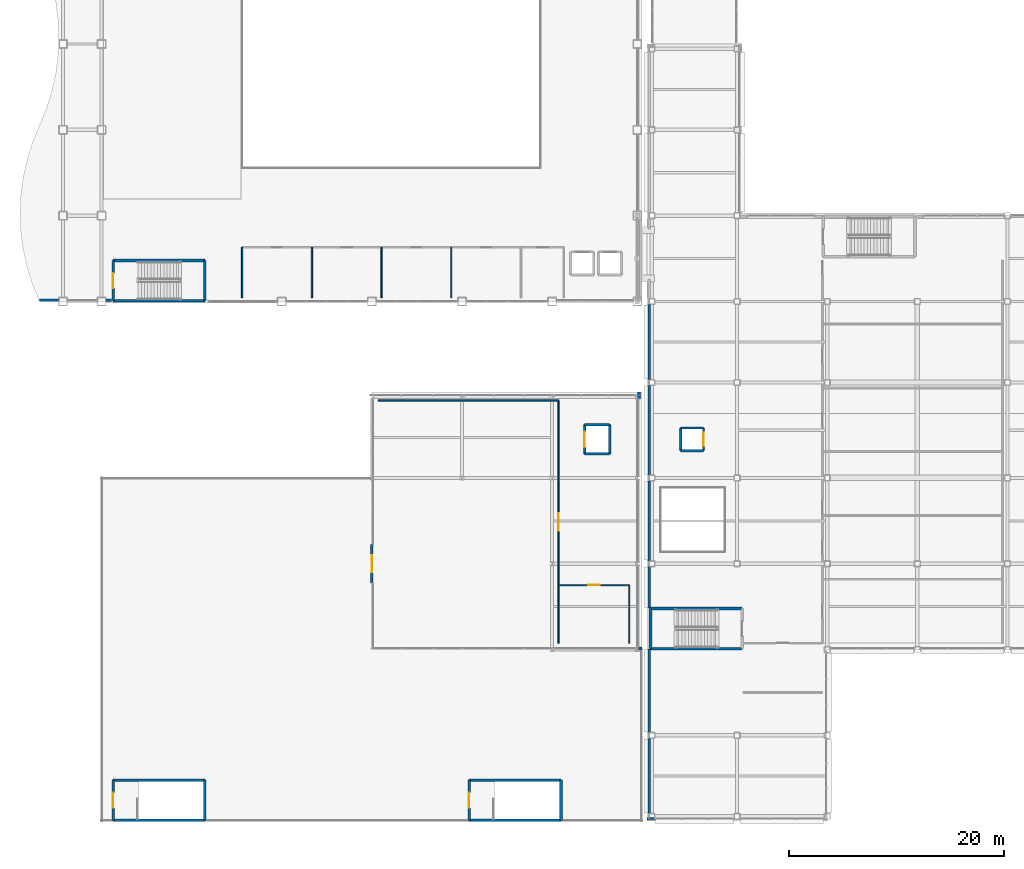
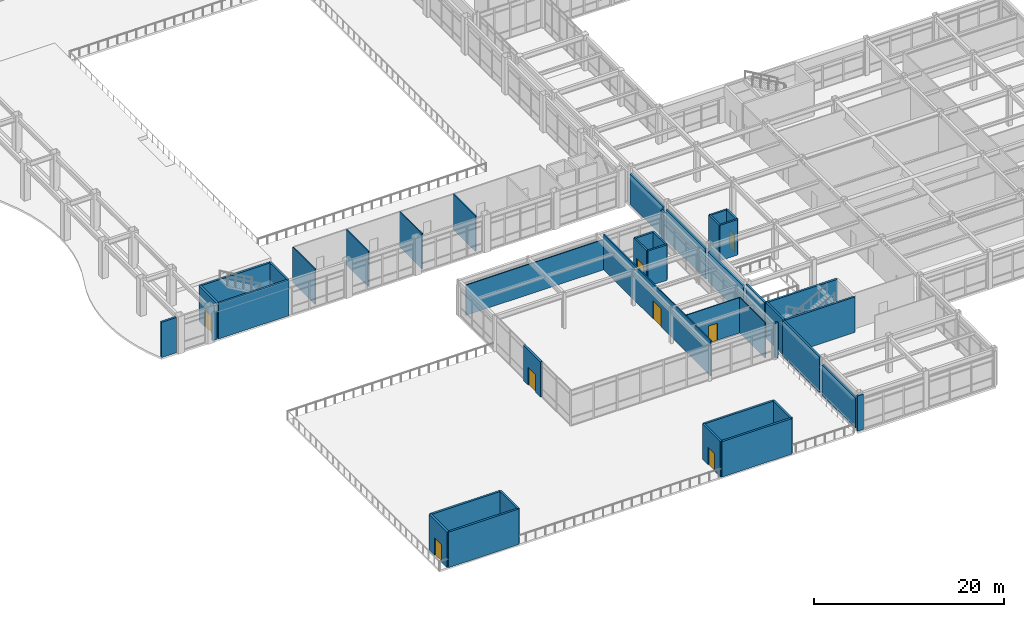
# One storey, part 131 of 154: 43 walls, 8 doors, 8 openings.
"""IFC4 building model written with IfcOpenShell, lengths in metres."""

from ifc_helpers import new_model, si_unit, direction, frame, frame_2d, origin, place, context, subcontext, project, spatial, rectangle, extrude, material, layer, layer_set, type_object, element, fill, save


model = new_model("IFC4")

# Units and contexts
model_context = context("Model", 3, precision=1e-05, world=origin(), true_north=direction((0.0, 1.0)))
body_context = subcontext(model_context, "Body", "Model", "MODEL_VIEW")
ifc_project = project(units=[si_unit("LENGTHUNIT", "METRE"), si_unit("AREAUNIT", "SQUARE_METRE"), si_unit("VOLUMEUNIT", "CUBIC_METRE"), si_unit("PLANEANGLEUNIT", "RADIAN"), si_unit("MASSUNIT", "GRAM", prefix="KILO")], contexts=[model_context])

# Site, building, storey
site_placement = place(None, origin())
site = spatial("IfcSite", under=ifc_project, at=site_placement, CompositionType="ELEMENT")
building_placement = place(site_placement, origin())
building = spatial("IfcBuilding", under=site, at=building_placement, Name="Kazehara Bluff Congress Hotel", CompositionType="ELEMENT")
storey_placement = place(building_placement, frame((0.0, 0.0, 10.199951171875)))
storey = spatial("IfcBuildingStorey", under=building, at=storey_placement, Name="L02", CompositionType="ELEMENT", Elevation=10.199951171875)

# Wall, opening, door
ifc_material_1 = material(Name="Concrete C40/50", Category="concrete")
ifc_layer_1 = layer(ifc_material_1, 0.25)
ifc_layer_set_1 = layer_set([ifc_layer_1], Name="Concrete C40/50")
wall_type_1 = type_object("IfcWallType", Name="TP-CW-RC", PredefinedType="SHEAR", material=ifc_layer_set_1)
wall_1_placement = place(storey_placement, frame((9.47509765625, 48.52490234375, 0.0), z_axis=(0.0, 0.0, 1.0), x_axis=(0.0, 1.0, 0.0)))
wall_1 = element("IfcWall", 1, at=wall_1_placement, inside=storey, type_object=wall_type_1, Name="L02 ST-03 core wall near", PredefinedType="SHEAR", context=body_context, shape_type="SweptSolid", body=[
    extrude(rectangle(XDim=3.75, YDim=0.25, at=frame_2d((1.875, 0.0))), origin(), (0.0, 0.0, 1.0), 4.56005859375),
])
opening_1_placement = place(wall_1_placement, frame((1.175048828125, 0.0, 0.0)))
opening_1 = element("IfcOpeningElement", 2, at=opening_1_placement, cuts=wall_1, Name="Opening FD-03", PredefinedType="OPENING", context=body_context, shape_type="SweptSolid", body=[
    extrude(rectangle(XDim=1.39990234375, YDim=2.25, at=frame_2d((0.699951171875, 1.125))), frame((0.0, 0.135009765625, 0.0), z_axis=(0.0, -1.0, 0.0), x_axis=(1.0, 0.0, 0.0)), (0.0, 0.0, 1.0), 0.27001953125),
])
ifc_material_2 = material(Name="Fire-rated painted steel leaf", Category="steel")
door_type_1 = type_object("IfcDoorType", Name="TP-FD-03", OperationType="NOTDEFINED", PredefinedType="DOOR", material=ifc_material_2)
door_1_placement = place(opening_1_placement, origin())
door_1 = element("IfcDoor", 3, at=door_1_placement, inside=storey, type_object=door_type_1, Name="L02 ST-03 fire stair door", OperationType="SINGLE_SWING_LEFT", OverallHeight=2.25, OverallWidth=1.39990234375, PredefinedType="DOOR", context=body_context, shape_type="SweptSolid", body=[
    extrude(rectangle(XDim=1.39990234375, YDim=2.25, at=frame_2d((0.699951171875, 1.125))), frame((0.0, 0.02490234375, 0.0), z_axis=(0.0, -1.0, 0.0), x_axis=(1.0, 0.0, 0.0)), (0.0, 0.0, 1.0), 0.050048828125),
])
fill(opening_1, door_1)

# Walls
wall_2_placement = place(storey_placement, frame((18.02490234375, 52.27490234375, 0.0), z_axis=(0.0, 0.0, 1.0), x_axis=(0.0, -1.0, 0.0)))
element("IfcWall", 4, at=wall_2_placement, inside=storey, type_object=wall_type_1, Name="L02 ST-03 core wall far", PredefinedType="SHEAR", context=body_context, shape_type="SweptSolid", body=[
    extrude(rectangle(XDim=3.75, YDim=0.25, at=frame_2d((1.875, 0.0))), origin(), (0.0, 0.0, 1.0), 4.56005859375),
])
for number, where, z_axis, x_axis, name in (
    (5, (18.02490234375, 48.52490234375, 0.0), (0.0, 0.0, 1.0), (-1.0, 0.0, 0.0), "L02 ST-03 core wall left"),
    (6, (9.47509765625, 52.27490234375, 0.0), (0.0, 0.0, 1.0), (1.0, 0.0, 0.0), "L02 ST-03 core wall right"),
):
    element("IfcWall", number, at=place(storey_placement, frame(where, z_axis=z_axis, x_axis=x_axis)), inside=storey, type_object=wall_type_1, Name=name, PredefinedType="SHEAR", context=body_context, shape_type="SweptSolid", body=[
        extrude(rectangle(XDim=8.5498046875, YDim=0.25, at=frame_2d((4.27490234375, 0.0))), origin(), (0.0, 0.0, 1.0), 4.56005859375),
    ])

# Wall, opening, door
wall_3_placement = place(storey_placement, frame((9.47509765625, 0.074951171875, 0.0), z_axis=(0.0, 0.0, 1.0), x_axis=(0.0, 1.0, 0.0)))
wall_3 = element("IfcWall", 7, at=wall_3_placement, inside=storey, type_object=wall_type_1, Name="L02 ST-04 core wall near", PredefinedType="SHEAR", context=body_context, shape_type="SweptSolid", body=[
    extrude(rectangle(XDim=3.75, YDim=0.25, at=frame_2d((1.875, 0.0))), origin(), (0.0, 0.0, 1.0), 4.56005859375),
])
opening_2_placement = place(wall_3_placement, frame((1.175048828125, 0.0, 0.0)))
opening_2 = element("IfcOpeningElement", 8, at=opening_2_placement, cuts=wall_3, Name="Opening FD-03", PredefinedType="OPENING", context=body_context, shape_type="SweptSolid", body=[
    extrude(rectangle(XDim=1.39990234375, YDim=2.25, at=frame_2d((0.699951171875, 1.125))), frame((0.0, 0.135009765625, 0.0), z_axis=(0.0, -1.0, 0.0), x_axis=(1.0, 0.0, 0.0)), (0.0, 0.0, 1.0), 0.27001953125),
])
door_2_placement = place(opening_2_placement, origin())
door_2 = element("IfcDoor", 9, at=door_2_placement, inside=storey, type_object=door_type_1, Name="L02 ST-04 fire stair door", OperationType="SINGLE_SWING_RIGHT", OverallHeight=2.25, OverallWidth=1.39990234375, PredefinedType="DOOR", context=body_context, shape_type="SweptSolid", body=[
    extrude(rectangle(XDim=1.39990234375, YDim=2.25, at=frame_2d((0.699951171875, 1.125))), frame((0.0, 0.02490234375, 0.0), z_axis=(0.0, -1.0, 0.0), x_axis=(1.0, 0.0, 0.0)), (0.0, 0.0, 1.0), 0.050048828125),
])
fill(opening_2, door_2)

# Walls
wall_4_placement = place(storey_placement, frame((18.02490234375, 3.824951171875, 0.0), z_axis=(0.0, 0.0, 1.0), x_axis=(0.0, -1.0, 0.0)))
element("IfcWall", 10, at=wall_4_placement, inside=storey, type_object=wall_type_1, Name="L02 ST-04 core wall far", PredefinedType="SHEAR", context=body_context, shape_type="SweptSolid", body=[
    extrude(rectangle(XDim=3.75, YDim=0.25, at=frame_2d((1.875, 0.0))), origin(), (0.0, 0.0, 1.0), 4.56005859375),
])
for number, where, z_axis, x_axis, name in (
    (11, (18.02490234375, 0.074951171875, 0.0), (0.0, 0.0, 1.0), (-1.0, 0.0, 0.0), "L02 ST-04 core wall left"),
    (12, (9.47509765625, 3.824951171875, 0.0), (0.0, 0.0, 1.0), (1.0, 0.0, 0.0), "L02 ST-04 core wall right"),
):
    element("IfcWall", number, at=place(storey_placement, frame(where, z_axis=z_axis, x_axis=x_axis)), inside=storey, type_object=wall_type_1, Name=name, PredefinedType="SHEAR", context=body_context, shape_type="SweptSolid", body=[
        extrude(rectangle(XDim=8.5498046875, YDim=0.25, at=frame_2d((4.27490234375, 0.0))), origin(), (0.0, 0.0, 1.0), 4.56005859375),
    ])

# Wall, opening, door
wall_5_placement = place(storey_placement, frame((42.675048828125, 0.074951171875, 0.0), z_axis=(0.0, 0.0, 1.0), x_axis=(0.0, 1.0, 0.0)))
wall_5 = element("IfcWall", 13, at=wall_5_placement, inside=storey, type_object=wall_type_1, Name="L02 ST-05 core wall near", PredefinedType="SHEAR", context=body_context, shape_type="SweptSolid", body=[
    extrude(rectangle(XDim=3.75, YDim=0.25, at=frame_2d((1.875, 0.0))), origin(), (0.0, 0.0, 1.0), 4.56005859375),
])
opening_3_placement = place(wall_5_placement, frame((1.175048828125, 0.0, 0.0)))
opening_3 = element("IfcOpeningElement", 14, at=opening_3_placement, cuts=wall_5, Name="Opening FD-03", PredefinedType="OPENING", context=body_context, shape_type="SweptSolid", body=[
    extrude(rectangle(XDim=1.39990234375, YDim=2.25, at=frame_2d((0.699951171875, 1.125))), frame((0.0, 0.135009765625, 0.0), z_axis=(0.0, -1.0, 0.0), x_axis=(1.0, 0.0, 0.0)), (0.0, 0.0, 1.0), 0.27001953125),
])
door_3_placement = place(opening_3_placement, origin())
door_3 = element("IfcDoor", 15, at=door_3_placement, inside=storey, type_object=door_type_1, Name="L02 ST-05 fire stair door", OperationType="SINGLE_SWING_RIGHT", OverallHeight=2.25, OverallWidth=1.39990234375, PredefinedType="DOOR", context=body_context, shape_type="SweptSolid", body=[
    extrude(rectangle(XDim=1.39990234375, YDim=2.25, at=frame_2d((0.699951171875, 1.125))), frame((0.0, 0.02490234375, 0.0), z_axis=(0.0, -1.0, 0.0), x_axis=(1.0, 0.0, 0.0)), (0.0, 0.0, 1.0), 0.050048828125),
])
fill(opening_3, door_3)

# Walls
wall_6_placement = place(storey_placement, frame((51.22509765625, 3.824951171875, 0.0), z_axis=(0.0, 0.0, 1.0), x_axis=(0.0, -1.0, 0.0)))
element("IfcWall", 16, at=wall_6_placement, inside=storey, type_object=wall_type_1, Name="L02 ST-05 core wall far", PredefinedType="SHEAR", context=body_context, shape_type="SweptSolid", body=[
    extrude(rectangle(XDim=3.75, YDim=0.25, at=frame_2d((1.875, 0.0))), origin(), (0.0, 0.0, 1.0), 4.56005859375),
])
for number, where, z_axis, x_axis, name in (
    (17, (51.22509765625, 0.074951171875, 0.0), (0.0, 0.0, 1.0), (-1.0, 0.0, 0.0), "L02 ST-05 core wall left"),
    (18, (42.675048828125, 3.824951171875, 0.0), (0.0, 0.0, 1.0), (1.0, 0.0, 0.0), "L02 ST-05 core wall right"),
):
    element("IfcWall", number, at=place(storey_placement, frame(where, z_axis=z_axis, x_axis=x_axis)), inside=storey, type_object=wall_type_1, Name=name, PredefinedType="SHEAR", context=body_context, shape_type="SweptSolid", body=[
        extrude(rectangle(XDim=8.550048828125, YDim=0.25, at=frame_2d((4.27490234375, 0.0))), origin(), (0.0, 0.0, 1.0), 4.56005859375),
    ])
wall_7_placement = place(storey_placement, frame((59.574951171875, 16.074951171875, 0.0), z_axis=(0.0, 0.0, 1.0), x_axis=(0.0, 1.0, 0.0)))
element("IfcWall", 19, at=wall_7_placement, inside=storey, type_object=wall_type_1, Name="L02 ST-08 core wall far", PredefinedType="SHEAR", context=body_context, shape_type="SweptSolid", body=[
    extrude(rectangle(XDim=3.75, YDim=0.25, at=frame_2d((1.875, 0.0))), origin(), (0.0, 0.0, 1.0), 4.56005859375),
])
for number, where, z_axis, x_axis, name in (
    (20, (59.574951171875, 19.824951171875, 0.0), (0.0, 0.0, 1.0), (1.0, 0.0, 0.0), "L02 ST-08 core wall left"),
    (21, (68.125, 16.074951171875, 0.0), (0.0, 0.0, 1.0), (-1.0, 0.0, 0.0), "L02 ST-08 core wall right"),
):
    element("IfcWall", number, at=place(storey_placement, frame(where, z_axis=z_axis, x_axis=x_axis)), inside=storey, type_object=wall_type_1, Name=name, PredefinedType="SHEAR", context=body_context, shape_type="SweptSolid", body=[
        extrude(rectangle(XDim=8.550048828125, YDim=0.25, at=frame_2d((4.27490234375, 0.0))), origin(), (0.0, 0.0, 1.0), 4.56005859375),
    ])

# Wall, opening, door
ifc_material_3 = material(Name="Precast concrete C40/50", Category="concrete")
ifc_layer_2 = layer(ifc_material_3, 0.239990234375)
ifc_layer_set_2 = layer_set([ifc_layer_2], Name="Precast concrete C40/50")
wall_type_2 = type_object("IfcWallType", Name="TP-EW-240", PredefinedType="SOLIDWALL", material=ifc_layer_set_2)
wall_8_placement = place(storey_placement, frame((33.60009765625, 22.199951171875, 0.0), z_axis=(0.0, 0.0, 1.0), x_axis=(0.0, 1.0, 0.0)))
wall_8 = element("IfcWall", 22, at=wall_8_placement, inside=storey, type_object=wall_type_2, Name="Ballroom Planted Roof Garden access wall", PredefinedType="SOLIDWALL", context=body_context, shape_type="SweptSolid", body=[
    extrude(rectangle(XDim=3.60009765625, YDim=0.239990234375, at=frame_2d((1.800048828125, 0.0))), origin(), (0.0, 0.0, 1.0), 4.545166015625),
])
opening_4_placement = place(wall_8_placement, frame((1.0, 0.0, 0.0)))
opening_4 = element("IfcOpeningElement", 23, at=opening_4_placement, cuts=wall_8, Name="Opening TD-01", PredefinedType="OPENING", context=body_context, shape_type="SweptSolid", body=[
    extrude(rectangle(XDim=1.60009765625, YDim=2.300048828125, at=frame_2d((0.800048828125, 1.14990234375))), frame((0.0, 0.1298828125, 0.0), z_axis=(0.0, -1.0, 0.0), x_axis=(1.0, 0.0, 0.0)), (0.0, 0.0, 1.0), 0.260009765625),
])
ifc_material_4 = material(Name="Anodised aluminium", Category="aluminium")
door_type_2 = type_object("IfcDoorType", Name="TP-TD-01", OperationType="SLIDING_TO_LEFT", PredefinedType="DOOR", material=ifc_material_4)
door_4_placement = place(opening_4_placement, origin())
door_4 = element("IfcDoor", 24, at=door_4_placement, inside=storey, type_object=door_type_2, Name="Ballroom Planted Roof Garden terrace door", OperationType="SLIDING_TO_LEFT", OverallHeight=2.300048828125, OverallWidth=1.60009765625, PredefinedType="DOOR", context=body_context, shape_type="SweptSolid", body=[
    extrude(rectangle(XDim=1.60009765625, YDim=2.300048828125, at=frame_2d((0.800048828125, 1.14990234375))), frame((0.0, 0.02490234375, 0.0), z_axis=(0.0, -1.0, 0.0), x_axis=(1.0, 0.0, 0.0)), (0.0, 0.0, 1.0), 0.050048828125),
])
fill(opening_4, door_4)

# Walls
wall_9_placement = place(storey_placement, frame((4.39990234375, 48.550048828125, 0.0), z_axis=(0.0, 0.0, 1.0), x_axis=(-1.0, 0.0, 0.0)))
element("IfcWall", 25, at=wall_9_placement, inside=storey, type_object=wall_type_2, Name="L02 V1 perimeter spandrel pier 626", PredefinedType="SOLIDWALL", context=body_context, shape_type="SweptSolid", body=[
    extrude(rectangle(XDim=1.7998046875, YDim=0.239990234375, at=frame_2d((0.89990234375, 0.0))), origin(), (0.0, 0.0, 1.0), 4.545166015625),
])
wall_10_placement = place(storey_placement, frame((9.340087890625, 48.550048828125, 0.0), z_axis=(0.0, 0.0, 1.0), x_axis=(-1.0, 0.0, 0.0)))
element("IfcWall", 26, at=wall_10_placement, inside=storey, type_object=wall_type_2, Name="L02 V1 perimeter spandrel pier 627", PredefinedType="SOLIDWALL", context=body_context, shape_type="SweptSolid", body=[
    extrude(rectangle(XDim=0.5400390625, YDim=0.239990234375, at=frame_2d((0.27001953125, 0.0))), origin(), (0.0, 0.0, 1.0), 3.53515625),
])
wall_11_placement = place(storey_placement, frame((58.800048828125, 16.10009765625, 0.0), z_axis=(0.0, 0.0, 1.0), x_axis=(-1.0, 0.0, 0.0)))
element("IfcWall", 27, at=wall_11_placement, inside=storey, type_object=wall_type_2, Name="L02 V2 perimeter spandrel pier 629", PredefinedType="SOLIDWALL", context=body_context, shape_type="SweptSolid", body=[
    extrude(rectangle(XDim=0.360107421875, YDim=0.239990234375, at=frame_2d((0.18017578125, 0.0))), origin(), (0.0, 0.0, 1.0), 4.545166015625),
])
wall_12_placement = place(storey_placement, frame((58.5048828125, 40.0, 0.0), z_axis=(0.0, 0.0, 1.0), x_axis=(0.0, -1.0, 0.0)))
element("IfcWall", 28, at=wall_12_placement, inside=storey, type_object=wall_type_2, Name="L02 V2 perimeter spandrel pier 630", PredefinedType="SOLIDWALL", context=body_context, shape_type="SweptSolid", body=[
    extrude(rectangle(XDim=0.625, YDim=0.239990234375, at=frame_2d((0.3125, 0.0))), origin(), (0.0, 0.0, 1.0), 4.545166015625),
])
wall_13_placement = place(storey_placement, frame((59.97509765625, 0.219970703125, 0.0), z_axis=(0.0, 0.0, 1.0), x_axis=(-1.0, 0.0, 0.0)))
element("IfcWall", 29, at=wall_13_placement, inside=storey, type_object=wall_type_2, Name="L02 V4 perimeter spandrel pier 641", PredefinedType="SOLIDWALL", context=body_context, shape_type="SweptSolid", body=[
    extrude(rectangle(XDim=0.72509765625, YDim=0.239990234375, at=frame_2d((0.362548828125, 0.0))), origin(), (0.0, 0.0, 1.0), 4.545166015625),
])
wall_14_placement = place(storey_placement, frame((59.469970703125, 0.72509765625, 0.0), z_axis=(0.0, 0.0, 1.0), x_axis=(0.0, 1.0, 0.0)))
element("IfcWall", 30, at=wall_14_placement, inside=storey, type_object=wall_type_2, Name="L02 V4 perimeter spandrel pier 655", PredefinedType="SOLIDWALL", context=body_context, shape_type="SweptSolid", body=[
    extrude(rectangle(XDim=7.0, YDim=0.239990234375, at=frame_2d((3.5, 0.0))), origin(), (0.0, 0.0, 1.0), 3.885009765625),
])
wall_15_placement = place(storey_placement, frame((59.469970703125, 8.27490234375, 0.0), z_axis=(0.0, 0.0, 1.0), x_axis=(0.0, 1.0, 0.0)))
element("IfcWall", 31, at=wall_15_placement, inside=storey, type_object=wall_type_2, Name="L02 V4 perimeter spandrel pier 656", PredefinedType="SOLIDWALL", context=body_context, shape_type="SweptSolid", body=[
    extrude(rectangle(XDim=7.760009765625, YDim=0.239990234375, at=frame_2d((3.8798828125, 0.0))), origin(), (0.0, 0.0, 1.0), 4.545166015625),
])
wall_16_placement = place(storey_placement, frame((59.469970703125, 19.864990234375, 0.0), z_axis=(0.0, 0.0, 1.0), x_axis=(0.0, 1.0, 0.0)))
element("IfcWall", 32, at=wall_16_placement, inside=storey, type_object=wall_type_2, Name="L02 V4 perimeter spandrel pier 657", PredefinedType="SOLIDWALL", context=body_context, shape_type="SweptSolid", body=[
    extrude(rectangle(XDim=3.860107421875, YDim=0.239990234375, at=frame_2d((1.93017578125, 0.0))), origin(), (0.0, 0.0, 1.0), 4.545166015625),
])
wall_17_placement = place(storey_placement, frame((59.469970703125, 24.27490234375, 0.0), z_axis=(0.0, 0.0, 1.0), x_axis=(0.0, 1.0, 0.0)))
element("IfcWall", 33, at=wall_17_placement, inside=storey, type_object=wall_type_2, Name="L02 V4 perimeter spandrel pier 658", PredefinedType="SOLIDWALL", context=body_context, shape_type="SweptSolid", body=[
    extrude(rectangle(XDim=7.4501953125, YDim=0.239990234375, at=frame_2d((3.72509765625, 0.0))), origin(), (0.0, 0.0, 1.0), 3.885009765625),
])
wall_18_placement = place(storey_placement, frame((59.469970703125, 32.27490234375, 0.0), z_axis=(0.0, 0.0, 1.0), x_axis=(0.0, 1.0, 0.0)))
element("IfcWall", 34, at=wall_18_placement, inside=storey, type_object=wall_type_2, Name="L02 V4 perimeter spandrel pier 659", PredefinedType="SOLIDWALL", context=body_context, shape_type="SweptSolid", body=[
    extrude(rectangle(XDim=8.35009765625, YDim=0.239990234375, at=frame_2d((4.175048828125, 0.0))), origin(), (0.0, 0.0, 1.0), 3.885009765625),
])
wall_19_placement = place(storey_placement, frame((59.469970703125, 41.175048828125, 0.0), z_axis=(0.0, 0.0, 1.0), x_axis=(0.0, 1.0, 0.0)))
element("IfcWall", 35, at=wall_19_placement, inside=storey, type_object=wall_type_2, Name="L02 V4 perimeter spandrel pier 660", PredefinedType="SOLIDWALL", context=body_context, shape_type="SweptSolid", body=[
    extrude(rectangle(XDim=7.0, YDim=0.239990234375, at=frame_2d((3.5, 0.0))), origin(), (0.0, 0.0, 1.0), 3.885009765625),
])

# Wall, opening, door
ifc_material_5 = material(Name="Fire-rated gypsum board stud partition")
ifc_layer_3 = layer(ifc_material_5, 0.110107421875)
ifc_layer_set_3 = layer_set([ifc_layer_3], Name="Fire-rated gypsum board stud partition")
wall_type_3 = type_object("IfcWallType", Name="TP-PT-110", PredefinedType="PARTITIONING", material=ifc_layer_set_3)
wall_20_placement = place(storey_placement, frame((51.0, 22.0, 0.0), z_axis=(0.0, 0.0, 1.0), x_axis=(1.0, 0.0, 0.0)))
wall_20 = element("IfcWall", 36, at=wall_20_placement, inside=storey, type_object=wall_type_3, Name="L02 partition PT-110 195", PredefinedType="PARTITIONING", context=body_context, shape_type="SweptSolid", body=[
    extrude(rectangle(XDim=6.60009765625, YDim=0.110107421875, at=frame_2d((3.300048828125, 0.0))), origin(), (0.0, 0.0, 1.0), 4.545166015625),
])
opening_5_placement = place(wall_20_placement, frame((2.77490234375, 0.0, 0.0)))
opening_5 = element("IfcOpeningElement", 37, at=opening_5_placement, cuts=wall_20, Name="Opening ID-02", PredefinedType="OPENING", context=body_context, shape_type="SweptSolid", body=[
    extrude(rectangle(XDim=1.050048828125, YDim=2.199951171875, at=frame_2d((0.52490234375, 1.10009765625))), frame((0.0, 0.06494140625, 0.0), z_axis=(0.0, -1.0, 0.0), x_axis=(1.0, 0.0, 0.0)), (0.0, 0.0, 1.0), 0.130126953125),
])
ifc_material_6 = material(Name="Architectural oak veneer leaf")
door_type_3 = type_object("IfcDoorType", Name="TP-ID-02", OperationType="NOTDEFINED", PredefinedType="DOOR", material=ifc_material_6)
door_5_placement = place(opening_5_placement, origin())
door_5 = element("IfcDoor", 38, at=door_5_placement, inside=storey, type_object=door_type_3, Name="L02 West Bluff Salon Accessible WC door", OperationType="SINGLE_SWING_LEFT", OverallHeight=2.199951171875, OverallWidth=1.050048828125, PredefinedType="DOOR", context=body_context, shape_type="SweptSolid", body=[
    extrude(rectangle(XDim=1.050048828125, YDim=2.199951171875, at=frame_2d((0.52490234375, 1.10009765625))), frame((0.0, 0.02490234375, 0.0), z_axis=(0.0, -1.0, 0.0), x_axis=(1.0, 0.0, 0.0)), (0.0, 0.0, 1.0), 0.050048828125),
])
fill(opening_5, door_5)

# Walls
wall_21_placement = place(storey_placement, frame((57.60009765625, 16.60009765625, 0.0), z_axis=(0.0, 0.0, 1.0), x_axis=(0.0, 1.0, 0.0)))
element("IfcWall", 39, at=wall_21_placement, inside=storey, type_object=wall_type_3, Name="L02 partition PT-110 229", PredefinedType="PARTITIONING", context=body_context, shape_type="SweptSolid", body=[
    extrude(rectangle(XDim=5.39990234375, YDim=0.110107421875, at=frame_2d((2.699951171875, 0.0))), origin(), (0.0, 0.0, 1.0), 4.545166015625),
])
ifc_material_7 = material(Name="Fire-rated gypsum board stud partition")
ifc_layer_4 = layer(ifc_material_7, 0.1298828125)
ifc_layer_set_4 = layer_set([ifc_layer_4], Name="Fire-rated gypsum board stud partition")
wall_type_4 = type_object("IfcWallType", Name="TP-PT-130", PredefinedType="PARTITIONING", material=ifc_layer_set_4)
wall_22_placement = place(storey_placement, frame((34.199951171875, 39.199951171875, 0.0), z_axis=(0.0, 0.0, 1.0), x_axis=(1.0, 0.0, 0.0)))
element("IfcWall", 40, at=wall_22_placement, inside=storey, type_object=wall_type_4, Name="L02 partition PT-130 200", PredefinedType="PARTITIONING", context=body_context, shape_type="SweptSolid", body=[
    extrude(rectangle(XDim=16.800048828125, YDim=0.1298828125, at=frame_2d((8.39990234375, 0.0))), origin(), (0.0, 0.0, 1.0), 3.885009765625),
])
for number, where, z_axis, x_axis, name in (
    (41, (21.5, 48.800048828125, 0.0), (0.0, 0.0, 1.0), (0.0, 1.0, 0.0), "L02 partition PT-130 222"),
    (42, (28.0, 48.800048828125, 0.0), (0.0, 0.0, 1.0), (0.0, 1.0, 0.0), "L02 partition PT-130 223"),
    (43, (34.5, 48.800048828125, 0.0), (0.0, 0.0, 1.0), (0.0, 1.0, 0.0), "L02 partition PT-130 224"),
    (44, (41.0, 48.800048828125, 0.0), (0.0, 0.0, 1.0), (0.0, 1.0, 0.0), "L02 partition PT-130 225"),
):
    element("IfcWall", number, at=place(storey_placement, frame(where, z_axis=z_axis, x_axis=x_axis)), inside=storey, type_object=wall_type_4, Name=name, PredefinedType="PARTITIONING", context=body_context, shape_type="SweptSolid", body=[
        extrude(rectangle(XDim=4.699951171875, YDim=0.1298828125, at=frame_2d((2.35009765625, 0.0))), origin(), (0.0, 0.0, 1.0), 4.545166015625),
    ])

# Wall, opening, door
wall_23_placement = place(storey_placement, frame((51.0, 16.60009765625, 0.0), z_axis=(0.0, 0.0, 1.0), x_axis=(0.0, 1.0, 0.0)))
wall_23 = element("IfcWall", 45, at=wall_23_placement, inside=storey, type_object=wall_type_4, Name="L02 partition PT-130 227", PredefinedType="PARTITIONING", context=body_context, shape_type="SweptSolid", body=[
    extrude(rectangle(XDim=22.599853515625, YDim=0.1298828125, at=frame_2d((11.2998046875, 0.0))), origin(), (0.0, 0.0, 1.0), 4.545166015625),
])
opening_6_placement = place(wall_23_placement, frame((10.47509765625, 0.0, 0.0)))
opening_6 = element("IfcOpeningElement", 46, at=opening_6_placement, cuts=wall_23, Name="Opening AD-04", PredefinedType="OPENING", context=body_context, shape_type="SweptSolid", body=[
    extrude(rectangle(XDim=1.64990234375, YDim=2.35009765625, at=frame_2d((0.824951171875, 1.175048828125))), frame((0.0, 0.074951171875, 0.0), z_axis=(0.0, -1.0, 0.0), x_axis=(1.0, 0.0, 0.0)), (0.0, 0.0, 1.0), 0.14990234375),
])
ifc_material_8 = material(Name="Architectural oak veneer leaf")
door_type_4 = type_object("IfcDoorType", Name="TP-AD-04", OperationType="DOUBLE_DOOR_SINGLE_SWING", PredefinedType="DOOR", material=ifc_material_8)
door_6_placement = place(opening_6_placement, origin())
door_6 = element("IfcDoor", 47, at=door_6_placement, inside=storey, type_object=door_type_4, Name="L02 West Bluff Banquet Salon door", OperationType="DOUBLE_DOOR_SINGLE_SWING", OverallHeight=2.35009765625, OverallWidth=1.64990234375, PredefinedType="DOOR", context=body_context, shape_type="SweptSolid", body=[
    extrude(rectangle(XDim=1.64990234375, YDim=2.35009765625, at=frame_2d((0.824951171875, 1.175048828125))), frame((0.0, 0.02490234375, 0.0), z_axis=(0.0, -1.0, 0.0), x_axis=(1.0, 0.0, 0.0)), (0.0, 0.0, 1.0), 0.050048828125),
])
fill(opening_6, door_6)

# Walls
ifc_material_9 = material(Name="Concrete C40/50", Category="concrete")
ifc_layer_5 = layer(ifc_material_9, 0.219970703125)
ifc_layer_set_5 = layer_set([ifc_layer_5], Name="Concrete C40/50")
wall_type_5 = type_object("IfcWallType", Name="TP-SW-RC", PredefinedType="SHEAR", material=ifc_layer_set_5)
for number, where, z_axis, x_axis, name in (
    (48, (62.389892578125, 36.659912109375, 0.0), (0.0, 0.0, 1.0), (1.0, 0.0, 0.0), "L02 EL-C3 lift shaft wall +Y"),
    (49, (62.389892578125, 34.5400390625, 0.0), (0.0, 0.0, 1.0), (1.0, 0.0, 0.0), "L02 EL-C3 lift shaft wall -Y"),
):
    element("IfcWall", number, at=place(storey_placement, frame(where, z_axis=z_axis, x_axis=x_axis)), inside=storey, type_object=wall_type_5, Name=name, PredefinedType="SHEAR", context=body_context, shape_type="SweptSolid", body=[
        extrude(rectangle(XDim=2.1201171875, YDim=0.219970703125, at=frame_2d((1.06005859375, 0.0))), origin(), (0.0, 0.0, 1.0), 4.56005859375),
    ])

# Wall, opening, door
wall_24_placement = place(storey_placement, frame((64.510009765625, 34.5400390625, 0.0), z_axis=(0.0, 0.0, 1.0), x_axis=(0.0, 1.0, 0.0)))
wall_24 = element("IfcWall", 50, at=wall_24_placement, inside=storey, type_object=wall_type_5, Name="L02 EL-C3 lift shaft wall +X", PredefinedType="SHEAR", context=body_context, shape_type="SweptSolid", body=[
    extrude(rectangle(XDim=2.119873046875, YDim=0.219970703125, at=frame_2d((1.06005859375, 0.0))), origin(), (0.0, 0.0, 1.0), 4.56005859375),
])
opening_7_placement = place(wall_24_placement, frame((0.4599609375, 0.0, 0.0)))
opening_7 = element("IfcOpeningElement", 51, at=opening_7_placement, cuts=wall_24, Name="Opening LD-02", PredefinedType="OPENING", context=body_context, shape_type="SweptSolid", body=[
    extrude(rectangle(XDim=1.199951171875, YDim=2.25, at=frame_2d((0.60009765625, 1.125))), frame((0.0, 0.119873046875, 0.0), z_axis=(0.0, -1.0, 0.0), x_axis=(1.0, 0.0, 0.0)), (0.0, 0.0, 1.0), 0.239990234375),
])
ifc_material_10 = material(Name="Fire-rated painted steel leaf", Category="steel")
door_type_5 = type_object("IfcDoorType", Name="TP-LD-02", OperationType="SLIDING_TO_LEFT", PredefinedType="DOOR", material=ifc_material_10)
door_7_placement = place(opening_7_placement, origin())
door_7 = element("IfcDoor", 52, at=door_7_placement, inside=storey, type_object=door_type_5, Name="L02 EL-C3 elevator landing door", OperationType="SLIDING_TO_LEFT", OverallHeight=2.25, OverallWidth=1.199951171875, PredefinedType="DOOR", context=body_context, shape_type="SweptSolid", body=[
    extrude(rectangle(XDim=1.199951171875, YDim=2.25, at=frame_2d((0.60009765625, 1.125))), frame((0.0, 0.02490234375, 0.0), z_axis=(0.0, -1.0, 0.0), x_axis=(1.0, 0.0, 0.0)), (0.0, 0.0, 1.0), 0.050048828125),
])
fill(opening_7, door_7)

# Walls
wall_25_placement = place(storey_placement, frame((62.389892578125, 34.5400390625, 0.0), z_axis=(0.0, 0.0, 1.0), x_axis=(0.0, 1.0, 0.0)))
element("IfcWall", 53, at=wall_25_placement, inside=storey, type_object=wall_type_5, Name="L02 EL-C3 lift shaft wall -X", PredefinedType="SHEAR", context=body_context, shape_type="SweptSolid", body=[
    extrude(rectangle(XDim=2.119873046875, YDim=0.219970703125, at=frame_2d((1.06005859375, 0.0))), origin(), (0.0, 0.0, 1.0), 4.56005859375),
])
for number, where, z_axis, x_axis, name in (
    (54, (53.43994140625, 36.9599609375, 0.0), (0.0, 0.0, 1.0), (1.0, 0.0, 0.0), "L02 EL-S1 lift shaft wall +Y"),
    (55, (53.43994140625, 34.239990234375, 0.0), (0.0, 0.0, 1.0), (1.0, 0.0, 0.0), "L02 EL-S1 lift shaft wall -Y"),
):
    element("IfcWall", number, at=place(storey_placement, frame(where, z_axis=z_axis, x_axis=x_axis)), inside=storey, type_object=wall_type_5, Name=name, PredefinedType="SHEAR", context=body_context, shape_type="SweptSolid", body=[
        extrude(rectangle(XDim=2.320068359375, YDim=0.219970703125, at=frame_2d((1.16015625, 0.0))), origin(), (0.0, 0.0, 1.0), 4.56005859375),
    ])
wall_26_placement = place(storey_placement, frame((55.760009765625, 34.239990234375, 0.0), z_axis=(0.0, 0.0, 1.0), x_axis=(0.0, 1.0, 0.0)))
element("IfcWall", 56, at=wall_26_placement, inside=storey, type_object=wall_type_5, Name="L02 EL-S1 lift shaft wall +X", PredefinedType="SHEAR", context=body_context, shape_type="SweptSolid", body=[
    extrude(rectangle(XDim=2.719970703125, YDim=0.219970703125, at=frame_2d((1.35986328125, 0.0))), origin(), (0.0, 0.0, 1.0), 4.56005859375),
])

# Wall, opening, door
wall_27_placement = place(storey_placement, frame((53.43994140625, 34.239990234375, 0.0), z_axis=(0.0, 0.0, 1.0), x_axis=(0.0, 1.0, 0.0)))
wall_27 = element("IfcWall", 57, at=wall_27_placement, inside=storey, type_object=wall_type_5, Name="L02 EL-S1 lift shaft wall -X", PredefinedType="SHEAR", context=body_context, shape_type="SweptSolid", body=[
    extrude(rectangle(XDim=2.719970703125, YDim=0.219970703125, at=frame_2d((1.35986328125, 0.0))), origin(), (0.0, 0.0, 1.0), 4.56005859375),
])
opening_8_placement = place(wall_27_placement, frame((0.635009765625, 0.0, 0.0)))
opening_8 = element("IfcOpeningElement", 58, at=opening_8_placement, cuts=wall_27, Name="Opening LD-04", PredefinedType="OPENING", context=body_context, shape_type="SweptSolid", body=[
    extrude(rectangle(XDim=1.449951171875, YDim=2.35009765625, at=frame_2d((0.72509765625, 1.175048828125))), frame((0.0, 0.119873046875, 0.0), z_axis=(0.0, -1.0, 0.0), x_axis=(1.0, 0.0, 0.0)), (0.0, 0.0, 1.0), 0.239990234375),
])
ifc_material_11 = material(Name="Fire-rated painted steel leaf", Category="steel")
door_type_6 = type_object("IfcDoorType", Name="TP-LD-04", OperationType="SLIDING_TO_LEFT", PredefinedType="DOOR", material=ifc_material_11)
door_8_placement = place(opening_8_placement, origin())
door_8 = element("IfcDoor", 59, at=door_8_placement, inside=storey, type_object=door_type_6, Name="L02 EL-S1 elevator landing door", OperationType="SLIDING_TO_LEFT", OverallHeight=2.35009765625, OverallWidth=1.449951171875, PredefinedType="DOOR", context=body_context, shape_type="SweptSolid", body=[
    extrude(rectangle(XDim=1.449951171875, YDim=2.35009765625, at=frame_2d((0.72509765625, 1.175048828125))), frame((0.0, 0.02490234375, 0.0), z_axis=(0.0, -1.0, 0.0), x_axis=(1.0, 0.0, 0.0)), (0.0, 0.0, 1.0), 0.050048828125),
])
fill(opening_8, door_8)

save(model, "model.ifc")
